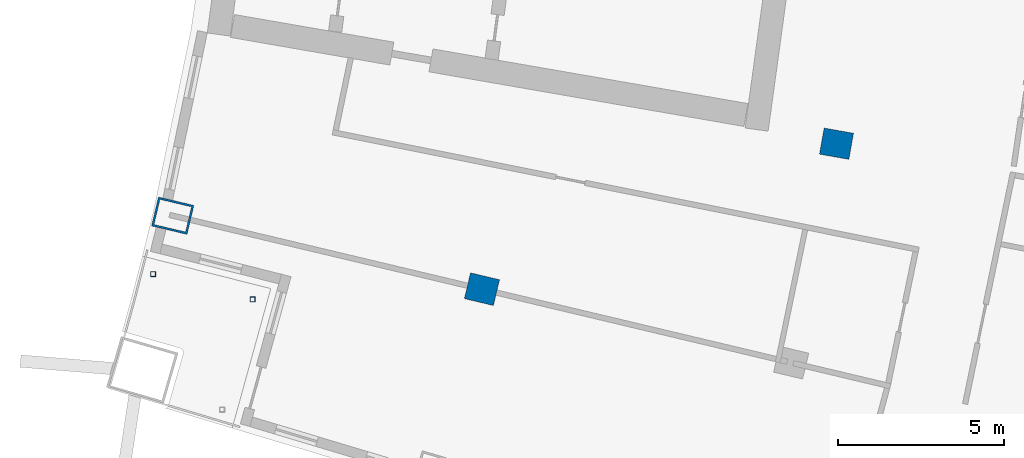
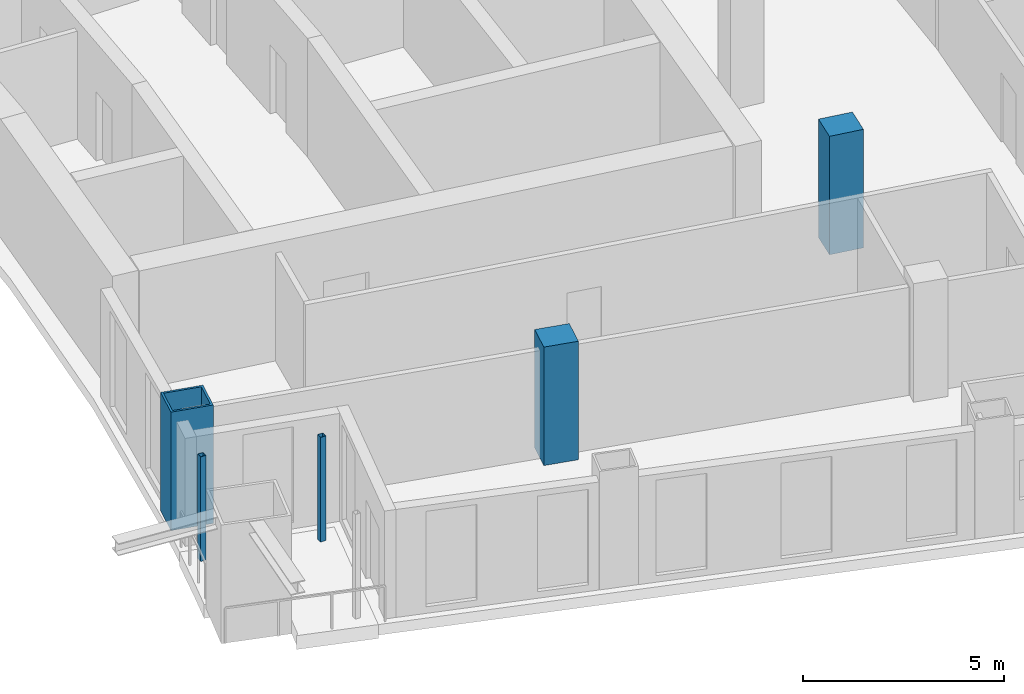
# One storey, part 3 of 20: 5 columns.
"""IFC4 building model written with IfcOpenShell, lengths in metres."""

from ifc_helpers import new_model, si_unit, direction, frame, origin, origin_2d, place, context, subcontext, project, spatial, rectangle, hollow_rectangle, extrude, material, material_profile, profile_set, type_object, element, save


model = new_model("IFC4")

# Units and contexts
model_context = context("Model", 3, precision=1e-05, world=origin(), true_north=direction((0.0, 1.0)))
body_context = subcontext(model_context, "Body", "Model", "MODEL_VIEW")
ifc_project = project(units=[si_unit("LENGTHUNIT", "METRE"), si_unit("AREAUNIT", "SQUARE_METRE"), si_unit("VOLUMEUNIT", "CUBIC_METRE"), si_unit("PLANEANGLEUNIT", "RADIAN"), si_unit("MASSUNIT", "GRAM", prefix="KILO")], contexts=[model_context])

# Site, building, storey
site_placement = place(None, origin())
site = spatial("IfcSite", under=ifc_project, at=site_placement, CompositionType="ELEMENT")
building_placement = place(site_placement, origin())
building = spatial("IfcBuilding", under=site, at=building_placement, Name="Alderwake Tower", CompositionType="ELEMENT")
storey_placement = place(building_placement, frame((0.0, 0.0, 178.39990234375)))
storey = spatial("IfcBuildingStorey", under=building, at=storey_placement, Name="L44", CompositionType="ELEMENT", Elevation=178.39990234375)

# Columns
ifc_material_1 = material(Name="Concrete C70/85", Category="concrete")
ifc_material_profile_1 = material_profile(ifc_material_1, rectangle(XDim=0.800048828125, YDim=0.89990234375, at=origin_2d()), Name="RC 900X800")
ifc_profile_set_1 = profile_set([ifc_material_profile_1], Name="Concrete C70/85")
column_type_1 = type_object("IfcColumnType", Name="Interior column Z3", PredefinedType="COLUMN", material=ifc_profile_set_1)
for number, where, z_axis, x_axis, name in (
    (1, (23.322021484375, 36.444091796875, 0.0), (0.0, 0.0, 1.0), (0.231221547198, 0.972901123502, 0.0), "Column R03-C1"),
    (2, (34.03125, 40.83837890625, 0.0), (0.0, 0.0, 1.0), (0.174108800747, 0.984726421654, 0.0), "Column R04-C2"),
):
    element("IfcColumn", number, at=place(storey_placement, frame(where, z_axis=z_axis, x_axis=x_axis)), inside=storey, type_object=column_type_1, Name=name, PredefinedType="COLUMN", context=body_context, shape_type="SweptSolid", body=[
        extrude(rectangle(XDim=0.800048828125, YDim=0.89990234375, at=origin_2d()), origin(), (0.0, 0.0, 1.0), 3.60009765625),
    ])
ifc_material_2 = material(Name="Steel ASTM A500 Grade C", Category="steel")
ifc_material_profile_2 = material_profile(ifc_material_2, hollow_rectangle(XDim=0.15234375, YDim=0.15234375, WallThickness=0.0087890625, at=origin_2d()), Name="HSS6X6X3/8")
ifc_profile_set_2 = profile_set([ifc_material_profile_2], Name="Steel ASTM A500 Grade C")
column_type_2 = type_object("IfcColumnType", Name="Light post HSS6X6X3/8", PredefinedType="COLUMN", material=ifc_profile_set_2)
for number, where, z_axis, x_axis, name in (
    (3, (13.3896484375, 36.896484375, 0.0), (0.0, 0.0, 1.0), (1.0, 0.0, 0.0), "Terrace post RS1"),
    (4, (16.39501953125, 36.135986328125, 0.0), (0.0, 0.0, 1.0), (1.0, 0.0, 0.0), "Terrace post RS3"),
):
    element("IfcColumn", number, at=place(storey_placement, frame(where, z_axis=z_axis, x_axis=x_axis)), inside=storey, type_object=column_type_2, Name=name, PredefinedType="COLUMN", context=body_context, shape_type="SweptSolid", body=[
        extrude(hollow_rectangle(XDim=0.15234375, YDim=0.15234375, WallThickness=0.0087890625, at=origin_2d()), origin(), (0.0, 0.0, 1.0), 3.18017578125),
    ])
ifc_material_3 = material(Name="Steel ASTM A572 Grade 50 concrete filled C70/85", Category="concrete")
ifc_material_profile_3 = material_profile(ifc_material_3, hollow_rectangle(XDim=0.89990234375, YDim=1.10009765625, WallThickness=0.06005859375, at=origin_2d()), Name="BOX 1100X900X60")
ifc_profile_set_3 = profile_set([ifc_material_profile_3], Name="Steel ASTM A572 Grade 50 concrete filled C70/85")
column_type_3 = type_object("IfcColumnType", Name="Perimeter column Z3", PredefinedType="COLUMN", material=ifc_profile_set_3)
column_placement = place(storey_placement, frame((13.982177734375, 38.6640625, 0.0), z_axis=(0.0, 0.0, 1.0), x_axis=(0.231221547198, 0.972901123502, 0.0)))
element("IfcColumn", 5, at=column_placement, inside=storey, type_object=column_type_3, Name="Column R03-C0", PredefinedType="COLUMN", context=body_context, shape_type="SweptSolid", body=[
    extrude(hollow_rectangle(XDim=0.89990234375, YDim=1.10009765625, WallThickness=0.06005859375, at=origin_2d()), origin(), (0.0, 0.0, 1.0), 3.60009765625),
])

save(model, "model.ifc")
